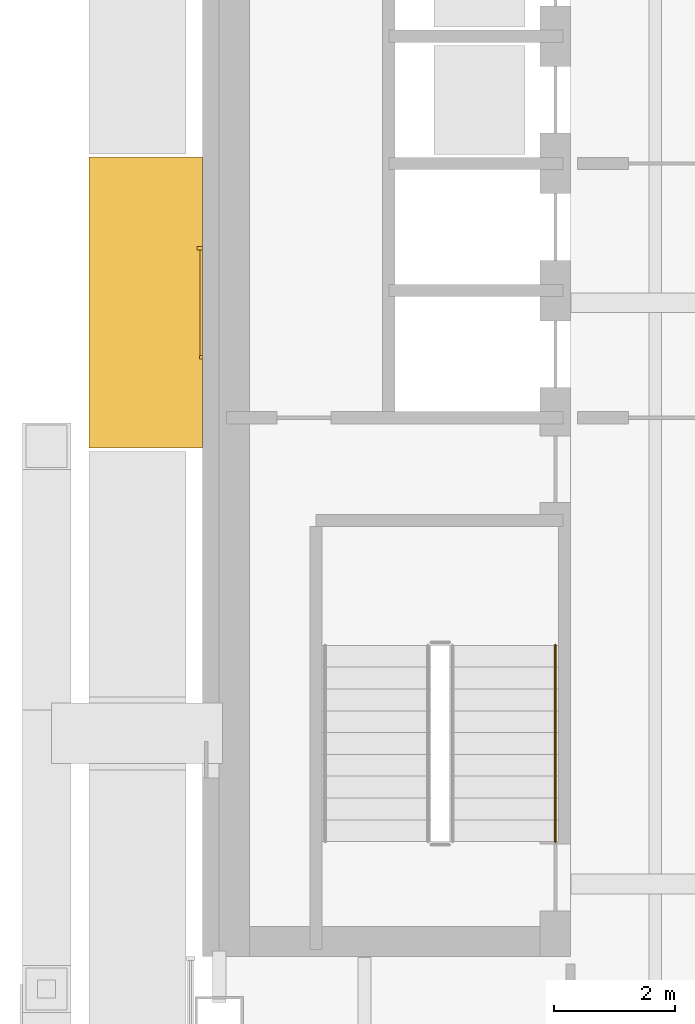
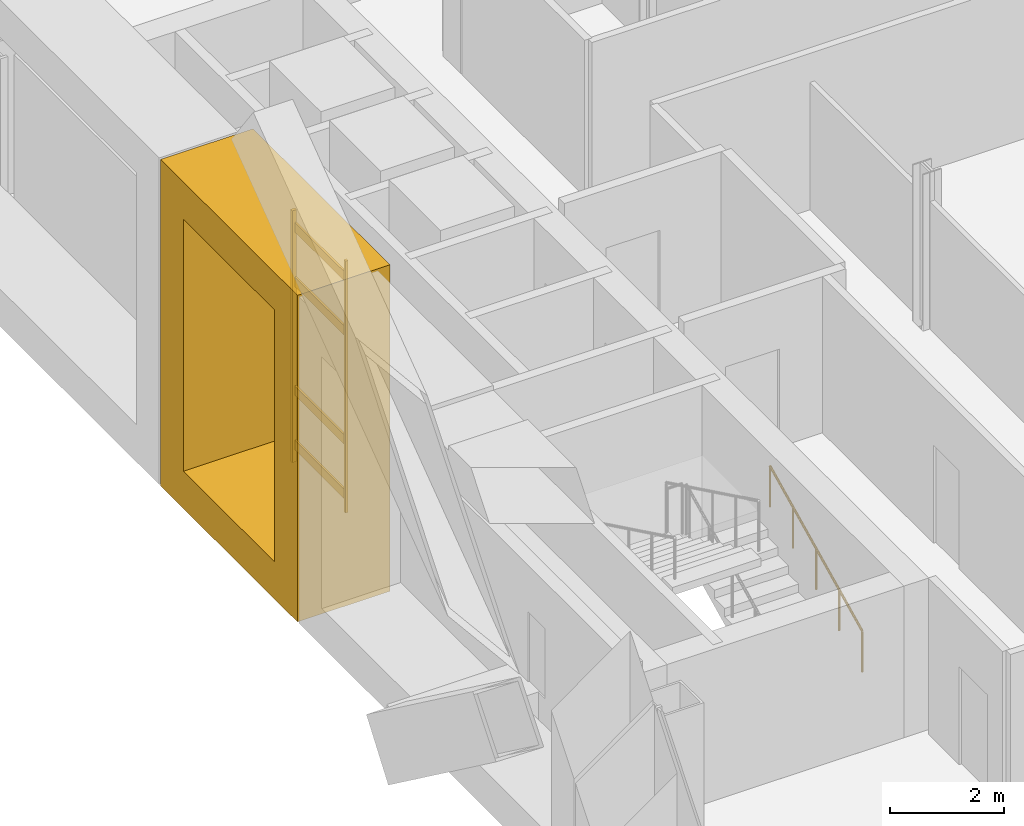
# One storey, part 18 of 22: 7 coverings, 1 railing.
"""IFC4 building model written with IfcOpenShell, lengths in metres."""

from ifc_helpers import new_model, si_unit, direction, frame, origin, origin_2d, place, context, subcontext, project, spatial, polyline, rectangle, circle, outline, extrude, material, type_object, element, save


model = new_model("IFC4")

# Units and contexts
model_context = context("Model", 3, precision=1e-05, world=origin(), true_north=direction((0.0, 1.0)))
body_context = subcontext(model_context, "Body", "Model", "MODEL_VIEW")
ifc_project = project(units=[si_unit("LENGTHUNIT", "METRE"), si_unit("AREAUNIT", "SQUARE_METRE"), si_unit("VOLUMEUNIT", "CUBIC_METRE"), si_unit("PLANEANGLEUNIT", "RADIAN"), si_unit("MASSUNIT", "GRAM", prefix="KILO")], contexts=[model_context])

# Site, building, storey
site_placement = place(None, origin())
site = spatial("IfcSite", under=ifc_project, at=site_placement, CompositionType="ELEMENT")
building_placement = place(site_placement, origin())
building = spatial("IfcBuilding", under=site, at=building_placement, Name="Cobrizo Arcos Hotel Tower", CompositionType="ELEMENT")
storey_placement = place(building_placement, frame((0.0, 0.0, 176.0)))
storey = spatial("IfcBuildingStorey", under=building, at=storey_placement, Name="L45", CompositionType="ELEMENT", Elevation=176.0)

# Coverings
ifc_material_1 = material(Name="Aluminium 6063-T6 anodised bronze", Category="aluminium")
covering_type_1 = type_object("IfcCoveringType", Name="FIN-F 1875", PredefinedType="CLADDING", material=ifc_material_1)
covering_1_placement = place(storey_placement, frame((-21.875, 2.403564453125, 0.0), z_axis=(-1.0, 0.0, 0.0), x_axis=(0.0, -1.0, 0.0)))
element("IfcCovering", 1, at=covering_1_placement, inside=storey, type_object=covering_type_1, Name="Fin frame 283", PredefinedType="CLADDING", context=body_context, shape_type="SweptSolid", body=[
    extrude(outline(polyline([(0.0, 7.0), (0.0, 0.0), (4.80712890625, 0.0), (4.80712890625, 7.0), (0.0, 7.0)]), holes=[polyline([(4.007080078125, 0.800048828125), (0.800048828125, 0.800048828125), (0.800048828125, 6.199951171875), (4.007080078125, 6.199951171875), (4.007080078125, 0.800048828125)])]), origin(), (0.0, 0.0, 1.0), 1.875),
])
ifc_material_2 = material(Name="Aluminium 6063-T6 anodised pale", Category="aluminium")
covering_type_2 = type_object("IfcCoveringType", Name="RS-1 rainscreen rib 60x90", PredefinedType="CLADDING", material=ifc_material_2)
covering_2_placement = place(storey_placement, frame((-21.919921875, 0.89990234375, 0.800048828125), z_axis=(0.0, 0.0, 1.0), x_axis=(0.0, -1.0, 0.0)))
element("IfcCovering", 2, at=covering_2_placement, inside=storey, type_object=covering_type_2, Name="Rainscreen rib 189", PredefinedType="CLADDING", context=body_context, shape_type="SweptSolid", body=[
    extrude(rectangle(XDim=0.06005859375, YDim=0.090087890625, at=origin_2d()), origin(), (0.0, 0.0, 1.0), 5.39990234375),
])
covering_type_3 = type_object("IfcCoveringType", Name="RS-2 rainscreen rib 60x50", PredefinedType="CLADDING", material=ifc_material_2)
covering_3_placement = place(storey_placement, frame((-21.89990234375, -0.89990234375, 0.800048828125), z_axis=(0.0, 0.0, 1.0), x_axis=(0.0, -1.0, 0.0)))
element("IfcCovering", 3, at=covering_3_placement, inside=storey, type_object=covering_type_3, Name="Rainscreen rib 190", PredefinedType="CLADDING", context=body_context, shape_type="SweptSolid", body=[
    extrude(rectangle(XDim=0.06005859375, YDim=0.050048828125, at=origin_2d()), origin(), (0.0, 0.0, 1.0), 5.39990234375),
])
covering_type_4 = type_object("IfcCoveringType", Name="RS-3 rainscreen louvre slat 200x40", PredefinedType="CLADDING", material=ifc_material_2)
for number, where, z_axis, x_axis, name in (
    (4, (-21.89501953125, 0.0, 1.06689453125), (0.0, 0.0, 1.0), (0.0, -1.0, 0.0), "Rainscreen slat 47"),
    (5, (-21.89501953125, 0.0, 2.2333984375), (0.0, 0.0, 1.0), (0.0, -1.0, 0.0), "Rainscreen slat 48"),
    (6, (-21.89501953125, 0.0, 4.56689453125), (0.0, 0.0, 1.0), (0.0, -1.0, 0.0), "Rainscreen slat 49"),
    (7, (-21.89501953125, 0.0, 5.7333984375), (0.0, 0.0, 1.0), (0.0, -1.0, 0.0), "Rainscreen slat 50"),
):
    element("IfcCovering", number, at=place(storey_placement, frame(where, z_axis=z_axis, x_axis=x_axis)), inside=storey, type_object=covering_type_4, Name=name, PredefinedType="CLADDING", context=body_context, shape_type="SweptSolid", body=[
        extrude(rectangle(XDim=1.739990234375, YDim=0.0400390625, at=origin_2d()), origin(), (0.0, 0.0, 1.0), 0.199951171875),
    ])

# Railing
ifc_material_3 = material(Name="Stainless steel railing", Category="steel")
railing_type = type_object("IfcRailingType", Name="Stair handrail", PredefinedType="HANDRAIL", material=ifc_material_3)
railing_placement = place(storey_placement, frame((-16.050048828125, -8.89990234375, 0.175048828125)))
element("IfcRailing", 8, at=railing_placement, inside=storey, type_object=railing_type, Name="L45 ST-W stair handrail 1", PredefinedType="HANDRAIL", context=body_context, shape_type="SweptSolid", body=[
    extrude(circle(Radius=0.02392578125, at=origin_2d()), frame((0.0, 0.0, 0.8759765625), z_axis=(0.0, 0.899372665325, 0.437182809435), x_axis=(-1.0, 0.0, 0.0)), (0.0, 0.0, 1.0), 3.6025390625),
    extrude(circle(Radius=0.02099609375, at=origin_2d()), origin(), (0.0, 0.0, 1.0), 0.851806640625),
    extrude(circle(Radius=0.02099609375, at=origin_2d()), frame((0.0, 0.81005859375, 0.393798828125)), (0.0, 0.0, 1.0), 0.851806640625),
    extrude(circle(Radius=0.02099609375, at=origin_2d()), frame((0.0, 1.6201171875, 0.78759765625)), (0.0, 0.0, 1.0), 0.851806640625),
    extrude(circle(Radius=0.02099609375, at=origin_2d()), frame((0.0, 2.429931640625, 1.18115234375)), (0.0, 0.0, 1.0), 0.851806640625),
    extrude(circle(Radius=0.02099609375, at=origin_2d()), frame((0.0, 3.239990234375, 1.574951171875)), (0.0, 0.0, 1.0), 0.851806640625),
])

save(model, "model.ifc")
